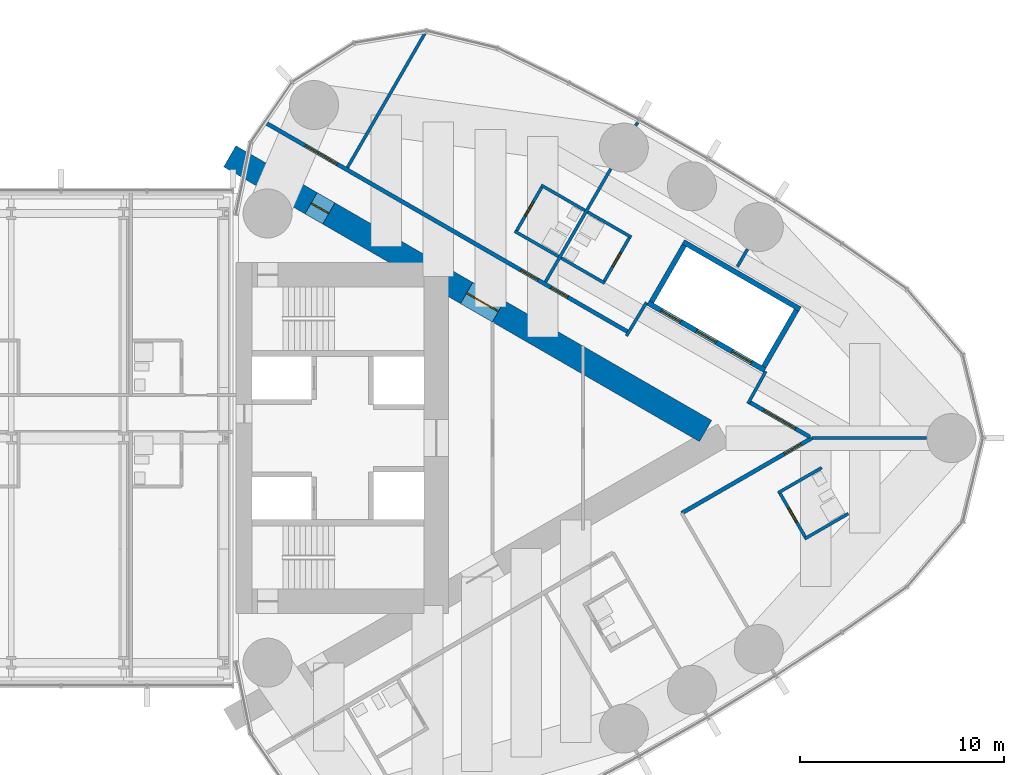
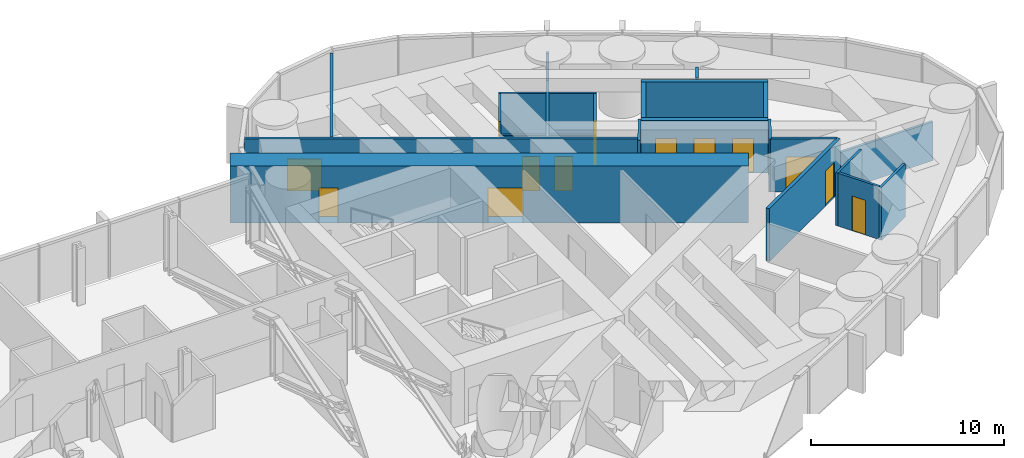
# One storey, part 19 of 22: 24 walls, 13 doors, 13 openings.
"""IFC4 building model written with IfcOpenShell, lengths in metres."""

import ifcopenshell
import ifcopenshell.guid

model = None  # the IFC model being written
_history = None  # IfcOwnerHistory: only IFC2X3 demands one
_inside = {}  # id of a spatial element -> (the spatial element, [elements in it])
_under = {}  # id of a project, library or spatial element -> (it, [spatial elements below it])
_declared = {}  # id of a project -> (the project, [libraries it declares])
_typed = {}  # id of a type object -> (the type object, [elements of that type])
_made_of = {}  # id of a material, layer set ... -> (it, [elements and type objects made of it])


def new_model(schema):
    """Start an empty IFC model of exactly this schema.

    Asked for "IFC4X3", IfcOpenShell would pick the latest addendum, in which some entities
    have other attributes; the version numbers below select the first issue.
    IFC2X3 requires an IfcOwnerHistory on every rooted entity: one is made here for all.
    """
    global model, _history
    if schema == "IFC4X3":
        model = ifcopenshell.file(schema_version=(4, 3, 0, 0))
    else:
        model = ifcopenshell.file(schema=schema)
    _inside.clear()
    _under.clear()
    _declared.clear()
    _typed.clear()
    _made_of.clear()
    _history = None
    if model.schema == "IFC2X3":
        org = make("IfcOrganization", Name="unknown")
        user = make(
            "IfcPersonAndOrganization",
            ThePerson=make("IfcPerson", FamilyName="unknown"),
            TheOrganization=org,
        )
        app = make(
            "IfcApplication",
            ApplicationDeveloper=org,
            Version="unknown",
            ApplicationFullName="unknown",
            ApplicationIdentifier="unknown",
        )
        _history = make(
            "IfcOwnerHistory",
            OwningUser=user,
            OwningApplication=app,
            ChangeAction="ADDED",
            CreationDate=0,
        )
    return model


def make(cls, **values):
    """One entity of the class cls with the attributes given. An attribute that is None is left unset."""
    return model.create_entity(
        cls, **{name: value for name, value in values.items() if value is not None}
    )


def rooted(cls, **values):
    """An entity with a GlobalId (a new one), such as an element, a storey or a relation."""
    return make(cls, GlobalId=ifcopenshell.guid.new(), OwnerHistory=_history, **values)


def si_unit(unit_type, name, prefix=None):
    """IfcSIUnit, for example si_unit("LENGTHUNIT", "METRE", prefix="MILLI")."""
    return make("IfcSIUnit", UnitType=unit_type, Prefix=prefix, Name=name)


def assignment(units):
    """IfcUnitAssignment: the units of a project."""
    return None if units is None else make("IfcUnitAssignment", Units=units)


def point(xyz):
    """IfcCartesianPoint."""
    return None if xyz is None else make("IfcCartesianPoint", Coordinates=xyz)


def direction(xyz):
    """IfcDirection."""
    return None if xyz is None else make("IfcDirection", DirectionRatios=xyz)


def frame(location, z_axis=None, x_axis=None):
    """IfcAxis2Placement3D, a coordinate frame: its origin and axes. An axis left out is left unset."""
    return make(
        "IfcAxis2Placement3D",
        Location=point(location),
        Axis=direction(z_axis),
        RefDirection=direction(x_axis),
    )


def frame_2d(location, x_axis=None):
    """IfcAxis2Placement2D, a coordinate frame in the plane: its origin and x axis."""
    return make(
        "IfcAxis2Placement2D", Location=point(location), RefDirection=direction(x_axis)
    )


def origin():
    """The frame at (0, 0, 0) with its axes left unset."""
    return frame((0.0, 0.0, 0.0))


def place(relative_to, where):
    """IfcLocalPlacement: puts the frame where relative to a parent placement (None: the world)."""
    return make(
        "IfcLocalPlacement", PlacementRelTo=relative_to, RelativePlacement=where
    )


def context(
    kind, dimensions, precision=None, world=None, true_north=None, identifier=None
):
    """IfcGeometricRepresentationContext, for example the 3D "Model" context."""
    return make(
        "IfcGeometricRepresentationContext",
        ContextIdentifier=identifier,
        ContextType=kind,
        CoordinateSpaceDimension=dimensions,
        Precision=precision,
        WorldCoordinateSystem=world,
        TrueNorth=true_north,
    )


def subcontext(parent, identifier, kind, view, scale=None):
    """IfcGeometricRepresentationSubContext, for example "Body" below "Model"."""
    return make(
        "IfcGeometricRepresentationSubContext",
        ContextIdentifier=identifier,
        ContextType=kind,
        ParentContext=parent,
        TargetScale=scale,
        TargetView=view,
    )


def project(units=None, contexts=None):
    """IfcProject with its units and contexts."""
    return rooted(
        "IfcProject",
        Name="project",
        RepresentationContexts=contexts,
        UnitsInContext=assignment(units),
    )


def spatial(cls, under=None, at=None, **own):
    """A site, building, storey or space (cls), placed at a placement, below another one or the project."""
    s = rooted(cls, ObjectPlacement=at, **own)
    if under is not None:
        _under.setdefault(under.id(), (under, []))[1].append(s)
    return s


def profile(cls, at=None, kind="AREA", **sizes):
    """A parametric profile (cls). Its sizes go by their IFC names, for example OverallWidth=200.0."""
    return make(cls, ProfileType=kind, Position=at, **sizes)


def rectangle(**sizes):
    """IfcRectangleProfileDef."""
    return profile("IfcRectangleProfileDef", **sizes)


def extrude(swept, where, along, depth):
    """IfcExtrudedAreaSolid: the profile swept, set in the frame where, extruded along a direction by depth."""
    return make(
        "IfcExtrudedAreaSolid",
        SweptArea=swept,
        Position=where,
        ExtrudedDirection=direction(along),
        Depth=depth,
    )


def shape(context_of_items, identifier, shape_type, items):
    """IfcShapeRepresentation: the items that make up one representation, for example the "Body"."""
    return make(
        "IfcShapeRepresentation",
        ContextOfItems=context_of_items,
        RepresentationIdentifier=identifier,
        RepresentationType=shape_type,
        Items=items,
    )


def material(Name=None, Category=None):
    """IfcMaterial."""
    return make("IfcMaterial", Name=Name, Category=Category)


def layer(
    of_material, thickness, ventilated=None, Name=None, Category=None, Priority=None
):
    """IfcMaterialLayer: one layer of a wall or slab, of a material (None: an air gap)."""
    return make(
        "IfcMaterialLayer",
        Material=of_material,
        LayerThickness=thickness,
        IsVentilated=ventilated,
        Name=Name,
        Category=Category,
        Priority=Priority,
    )


def layer_set(layers, Name=None):
    """IfcMaterialLayerSet."""
    return make("IfcMaterialLayerSet", MaterialLayers=layers, LayerSetName=Name)


def made_of(thing, what):
    """Note that an element or type object is made of a material, layer set ...; save() writes the relation."""
    if what is not None:
        _made_of.setdefault(what.id(), (what, []))[1].append(thing)
    return thing


def type_object(cls, material=None, **own):
    """A type object (cls), such as IfcWallType, which elements share."""
    return made_of(rooted(cls, **own), material)


def element(
    cls,
    number,
    at=None,
    inside=None,
    cuts=None,
    type_object=None,
    material=None,
    context=None,
    identifier="Body",
    shape_type=None,
    held_by="IfcProductDefinitionShape",
    body=None,
    shapes=None,
    **own,
):
    """One element of the class cls, such as IfcWall. Its Tag is "e" and its number.

    at: its placement. inside: the storey or other place that contains it. cuts: it is an
    opening in that element (IfcRelVoidsElement). A single representation is given by context,
    identifier, shape_type and body (its items); several are given by shapes. held_by: the class
    of the entity that holds the representations. save() writes the other relations.
    """
    e = rooted(cls, Tag="e%d" % number, ObjectPlacement=at, **own)
    if body is not None:
        shapes = [shape(context, identifier, shape_type, body)]
    if shapes is not None:
        e.Representation = make(held_by, Representations=shapes)
    if inside is not None:
        _inside.setdefault(inside.id(), (inside, []))[1].append(e)
    if cuts is not None:
        rooted(
            "IfcRelVoidsElement", RelatingBuildingElement=cuts, RelatedOpeningElement=e
        )
    if type_object is not None:
        _typed.setdefault(type_object.id(), (type_object, []))[1].append(e)
    return made_of(e, material)


def fill(opening, filler):
    """IfcRelFillsElement: the door or window that sits in an opening."""
    return rooted(
        "IfcRelFillsElement",
        RelatingOpeningElement=opening,
        RelatedBuildingElement=filler,
    )


def aggregate(whole, parts):
    """IfcRelAggregates: a whole, such as a stair, and the parts it consists of."""
    return rooted("IfcRelAggregates", RelatingObject=whole, RelatedObjects=parts)


def save(model, path):
    """Write the relations noted so far, then the file.

    IfcRelAggregates (storeys below a building ...), IfcRelContainedInSpatialStructure (elements
    in a storey), IfcRelDefinesByType, IfcRelAssociatesMaterial and IfcRelDeclares: one each for
    every whole, place, type object, material and project.
    """
    for whole, parts in _under.values():
        aggregate(whole, parts)
    for where, things in _inside.values():
        rooted(
            "IfcRelContainedInSpatialStructure",
            RelatedElements=things,
            RelatingStructure=where,
        )
    for kind, things in _typed.values():
        rooted("IfcRelDefinesByType", RelatedObjects=things, RelatingType=kind)
    for what, things in _made_of.values():
        rooted("IfcRelAssociatesMaterial", RelatedObjects=things, RelatingMaterial=what)
    for by, libraries in _declared.values():
        rooted("IfcRelDeclares", RelatingContext=by, RelatedDefinitions=libraries)
    model.write(path)


model = new_model("IFC4")

# Units and contexts
model_context = context("Model", 3, precision=1e-05, world=origin(), true_north=direction((0.0, 1.0)))
body_context = subcontext(model_context, "Body", "Model", "MODEL_VIEW")
ifc_project = project(units=[si_unit("LENGTHUNIT", "METRE"), si_unit("AREAUNIT", "SQUARE_METRE"), si_unit("VOLUMEUNIT", "CUBIC_METRE"), si_unit("PLANEANGLEUNIT", "RADIAN"), si_unit("MASSUNIT", "GRAM", prefix="KILO")], contexts=[model_context])

# Site, building, storey
site_placement = place(None, origin())
site = spatial("IfcSite", under=ifc_project, at=site_placement, CompositionType="ELEMENT")
building_placement = place(site_placement, origin())
building = spatial("IfcBuilding", under=site, at=building_placement, Name="Lancet Gate Hotel", CompositionType="ELEMENT")
storey_placement = place(building_placement, frame((0.0, 0.0, 233.300048828125)))
storey = spatial("IfcBuildingStorey", under=building, at=storey_placement, Name="L62", CompositionType="ELEMENT", Elevation=233.300048828125)

# Wall
ifc_material_1 = material(Name="Moisture resistant board partition")
ifc_layer_1 = layer(ifc_material_1, 0.14990234375)
ifc_layer_set_1 = layer_set([ifc_layer_1], Name="Bathroom wall 150")
wall_type_1 = type_object("IfcWallType", Name="Bathroom wall 150", PredefinedType="PARTITIONING", material=ifc_layer_set_1)
wall_1_placement = place(storey_placement, frame((55.34912109375, -4.938232421875, 0.0), z_axis=(0.0, 0.0, 1.0), x_axis=(0.866006523861, 0.500032699561, 0.0)))
element("IfcWall", 1, at=wall_1_placement, inside=storey, type_object=wall_type_1, Name="T2 bathroom wall 150 L62", PredefinedType="PARTITIONING", context=body_context, shape_type="SweptSolid", body=[
    extrude(rectangle(XDim=2.474853515625, YDim=0.14990234375, at=frame_2d((1.2373046875, 0.0))), origin(), (0.0, 0.0, 1.0), 3.349853515625),
])

# Wall, opening, door
wall_2_placement = place(storey_placement, frame((54.114013671875, -2.64892578125, 0.0), z_axis=(0.0, 0.0, 1.0), x_axis=(0.500006934395, -0.866021400173, 0.0)))
wall_2 = element("IfcWall", 2, at=wall_2_placement, inside=storey, type_object=wall_type_1, Name="T2 bathroom wall 150 L62", PredefinedType="PARTITIONING", context=body_context, shape_type="SweptSolid", body=[
    extrude(rectangle(XDim=2.60009765625, YDim=0.14990234375, at=frame_2d((1.300048828125, 0.0))), origin(), (0.0, 0.0, 1.0), 3.349853515625),
])
opening_1_placement = place(wall_2_placement, frame((0.89990234375, 0.0, 0.0)))
opening_1 = element("IfcOpeningElement", 3, at=opening_1_placement, cuts=wall_2, Name="Opening 6255-B", PredefinedType="OPENING", context=body_context, shape_type="SweptSolid", body=[
    extrude(rectangle(XDim=0.800048828125, YDim=2.199951171875, at=frame_2d((0.39990234375, 1.10009765625))), frame((0.0, 0.0849609375, 0.0), z_axis=(0.0, -1.0, 0.0), x_axis=(1.0, 0.0, 0.0)), (0.0, 0.0, 1.0), 0.169921875),
])
ifc_material_2 = material(Name="Timber door set", Category="wood")
door_type_1 = type_object("IfcDoorType", Name="Bathroom door 800", OperationType="SINGLE_SWING_RIGHT", PredefinedType="DOOR", material=ifc_material_2)
door_1_placement = place(opening_1_placement, origin())
door_1 = element("IfcDoor", 4, at=door_1_placement, inside=storey, type_object=door_type_1, Name="6255-B", OperationType="SINGLE_SWING_RIGHT", OverallHeight=2.199951171875, OverallWidth=0.800048828125, PredefinedType="DOOR", context=body_context, shape_type="SweptSolid", body=[
    extrude(rectangle(XDim=0.800048828125, YDim=2.199951171875, at=frame_2d((0.39990234375, 1.10009765625))), frame((0.0, 0.02490234375, 0.0), z_axis=(0.0, -1.0, 0.0), x_axis=(1.0, 0.0, 0.0)), (0.0, 0.0, 1.0), 0.050048828125),
])
fill(opening_1, door_1)

# Walls
for number, where, z_axis, x_axis, name in (
    (5, (54.049072265625, -2.6865234375, 0.0), (0.0, 0.0, 1.0), (0.866006523861, 0.500032699561, 0.0), "T2 bathroom wall 150 L62"),
    (6, (44.724609375, 11.072265625, 0.0), (0.0, 0.0, 1.0), (0.866006523861, -0.500032699561, 0.0), "T2 bathroom wall 150 L62"),
):
    element("IfcWall", number, at=place(storey_placement, frame(where, z_axis=z_axis, x_axis=x_axis)), inside=storey, type_object=wall_type_1, Name=name, PredefinedType="PARTITIONING", context=body_context, shape_type="SweptSolid", body=[
        extrude(rectangle(XDim=2.474853515625, YDim=0.14990234375, at=frame_2d((1.2373046875, 0.0))), origin(), (0.0, 0.0, 1.0), 3.349853515625),
    ])

# Wall, opening, door
wall_3_placement = place(storey_placement, frame((45.5029296875, 7.62060546875, 0.0), z_axis=(0.0, 0.0, 1.0), x_axis=(0.500006934395, 0.866021400173, 0.0)))
wall_3 = element("IfcWall", 7, at=wall_3_placement, inside=storey, type_object=wall_type_1, Name="T2 bathroom wall 150 L62", PredefinedType="PARTITIONING", context=body_context, shape_type="SweptSolid", body=[
    extrude(rectangle(XDim=2.60009765625, YDim=0.14990234375, at=frame_2d((1.300048828125, 0.0))), origin(), (0.0, 0.0, 1.0), 3.349853515625),
])
opening_2_placement = place(wall_3_placement, frame((0.89990234375, 0.0, 0.0)))
opening_2 = element("IfcOpeningElement", 8, at=opening_2_placement, cuts=wall_3, Name="Opening 6258-B", PredefinedType="OPENING", context=body_context, shape_type="SweptSolid", body=[
    extrude(rectangle(XDim=0.800048828125, YDim=2.199951171875, at=frame_2d((0.39990234375, 1.10009765625))), frame((0.0, 0.0849609375, 0.0), z_axis=(0.0, -1.0, 0.0), x_axis=(1.0, 0.0, 0.0)), (0.0, 0.0, 1.0), 0.169921875),
])
door_2_placement = place(opening_2_placement, origin())
door_2 = element("IfcDoor", 9, at=door_2_placement, inside=storey, type_object=door_type_1, Name="6258-B", OperationType="SINGLE_SWING_RIGHT", OverallHeight=2.199951171875, OverallWidth=0.800048828125, PredefinedType="DOOR", context=body_context, shape_type="SweptSolid", body=[
    extrude(rectangle(XDim=0.800048828125, YDim=2.199951171875, at=frame_2d((0.39990234375, 1.10009765625))), frame((0.0, 0.02490234375, 0.0), z_axis=(0.0, -1.0, 0.0), x_axis=(1.0, 0.0, 0.0)), (0.0, 0.0, 1.0), 0.050048828125),
])
fill(opening_2, door_2)

# Walls
wall_4_placement = place(storey_placement, frame((43.424560546875, 8.820556640625, 0.0), z_axis=(0.0, 0.0, 1.0), x_axis=(0.866006523861, -0.500032699561, 0.0)))
element("IfcWall", 10, at=wall_4_placement, inside=storey, type_object=wall_type_1, Name="T2 bathroom wall 150 L62", PredefinedType="PARTITIONING", context=body_context, shape_type="SweptSolid", body=[
    extrude(rectangle(XDim=2.474853515625, YDim=0.14990234375, at=frame_2d((1.2373046875, 0.0))), origin(), (0.0, 0.0, 1.0), 2.5),
])
wall_5_placement = place(storey_placement, frame((42.451171875, 12.384765625, 0.0), z_axis=(0.0, 0.0, 1.0), x_axis=(0.866031185235, -0.4999899861, 0.0)))
element("IfcWall", 11, at=wall_5_placement, inside=storey, type_object=wall_type_1, Name="T2 bathroom wall 150 L62", PredefinedType="PARTITIONING", context=body_context, shape_type="SweptSolid", body=[
    extrude(rectangle(XDim=2.47509765625, YDim=0.14990234375, at=frame_2d((1.237548828125, 0.0))), origin(), (0.0, 0.0, 1.0), 3.349853515625),
])

# Wall, opening, door
wall_6_placement = place(storey_placement, frame((41.21630859375, 10.095458984375, 0.0), z_axis=(0.0, 0.0, 1.0), x_axis=(0.499936506574, 0.866062058628, 0.0)))
wall_6 = element("IfcWall", 12, at=wall_6_placement, inside=storey, type_object=wall_type_1, Name="T2 bathroom wall 150 L62", PredefinedType="PARTITIONING", context=body_context, shape_type="SweptSolid", body=[
    extrude(rectangle(XDim=2.599853515625, YDim=0.14990234375, at=frame_2d((1.2998046875, 0.0))), origin(), (0.0, 0.0, 1.0), 3.349853515625),
])
opening_3_placement = place(wall_6_placement, frame((0.89990234375, 0.0, 0.0)))
opening_3 = element("IfcOpeningElement", 13, at=opening_3_placement, cuts=wall_6, Name="Opening 6259-B", PredefinedType="OPENING", context=body_context, shape_type="SweptSolid", body=[
    extrude(rectangle(XDim=0.800048828125, YDim=2.199951171875, at=frame_2d((0.39990234375, 1.10009765625))), frame((0.0, 0.0849609375, 0.0), z_axis=(0.0, -1.0, 0.0), x_axis=(1.0, 0.0, 0.0)), (0.0, 0.0, 1.0), 0.169921875),
])
door_3_placement = place(opening_3_placement, origin())
door_3 = element("IfcDoor", 14, at=door_3_placement, inside=storey, type_object=door_type_1, Name="6259-B", OperationType="SINGLE_SWING_RIGHT", OverallHeight=2.199951171875, OverallWidth=0.800048828125, PredefinedType="DOOR", context=body_context, shape_type="SweptSolid", body=[
    extrude(rectangle(XDim=0.800048828125, YDim=2.199951171875, at=frame_2d((0.39990234375, 1.10009765625))), frame((0.0, 0.02490234375, 0.0), z_axis=(0.0, -1.0, 0.0), x_axis=(1.0, 0.0, 0.0)), (0.0, 0.0, 1.0), 0.050048828125),
])
fill(opening_3, door_3)

# Wall
wall_7_placement = place(storey_placement, frame((41.1513671875, 10.133056640625, 0.0), z_axis=(0.0, 0.0, 1.0), x_axis=(0.866006523861, -0.500032699561, 0.0)))
element("IfcWall", 15, at=wall_7_placement, inside=storey, type_object=wall_type_1, Name="T2 bathroom wall 150 L62", PredefinedType="PARTITIONING", context=body_context, shape_type="SweptSolid", body=[
    extrude(rectangle(XDim=2.474853515625, YDim=0.14990234375, at=frame_2d((1.2373046875, 0.0))), origin(), (0.0, 0.0, 1.0), 2.5),
])

# Wall, openings, doors
ifc_material_3 = material(Name="Concrete C70/85", Category="concrete")
ifc_layer_2 = layer(ifc_material_3, 1.199951171875)
ifc_layer_set_2 = layer_set([ifc_layer_2], Name="Buttress wall 1200")
wall_type_2 = type_object("IfcWallType", Name="Buttress wall 1200", PredefinedType="SHEAR", material=ifc_layer_set_2)
wall_8_placement = place(storey_placement, frame((27.199951171875, 13.800048828125, 0.0), z_axis=(0.0, 0.0, 1.0), x_axis=(0.866024515034, -0.500001539357, 0.0)))
wall_8 = element("IfcWall", 16, at=wall_8_placement, inside=storey, type_object=wall_type_2, Name="T2 buttress wall N L62", PredefinedType="SHEAR", context=body_context, shape_type="SweptSolid", body=[
    extrude(rectangle(XDim=26.9072265625, YDim=1.199951171875, at=frame_2d((13.45361328125, 0.0))), origin(), (0.0, 0.0, 1.0), 3.599853515625),
])
opening_4_placement = place(wall_8_placement, frame((4.60009765625, 0.0, 0.0)))
opening_4 = element("IfcOpeningElement", 17, at=opening_4_placement, cuts=wall_8, Name="Opening T2-L62-LN", PredefinedType="OPENING", context=body_context, shape_type="SweptSolid", body=[
    extrude(rectangle(XDim=1.0, YDim=2.199951171875, at=frame_2d((0.5, 1.10009765625))), frame((0.0, 0.60986328125, 0.0), z_axis=(0.0, -1.0, 0.0), x_axis=(1.0, 0.0, 0.0)), (0.0, 0.0, 1.0), 1.219970703125),
])
opening_5_placement = place(wall_8_placement, frame((13.39453125, 0.0, 0.0)))
opening_5 = element("IfcOpeningElement", 18, at=opening_5_placement, cuts=wall_8, Name="Opening T2-L62-LHN", PredefinedType="OPENING", context=body_context, shape_type="SweptSolid", body=[
    extrude(rectangle(XDim=1.800048828125, YDim=2.199951171875, at=frame_2d((0.89990234375, 1.10009765625))), frame((0.0, 0.60986328125, 0.0), z_axis=(0.0, -1.0, 0.0), x_axis=(1.0, 0.0, 0.0)), (0.0, 0.0, 1.0), 1.219970703125),
])
ifc_material_4 = material(Name="Timber door set", Category="wood")
door_type_2 = type_object("IfcDoorType", Name="Lobby double door 1800", OperationType="DOUBLE_DOOR_SINGLE_SWING", PredefinedType="DOOR", material=ifc_material_4)
door_4_placement = place(opening_5_placement, origin())
door_4 = element("IfcDoor", 19, at=door_4_placement, inside=storey, type_object=door_type_2, Name="T2-L62-LHN", OperationType="DOUBLE_DOOR_SINGLE_SWING", OverallHeight=2.199951171875, OverallWidth=1.800048828125, PredefinedType="DOOR", context=body_context, shape_type="SweptSolid", body=[
    extrude(rectangle(XDim=1.800048828125, YDim=2.199951171875, at=frame_2d((0.89990234375, 1.10009765625))), frame((0.0, 0.02490234375, 0.0), z_axis=(0.0, -1.0, 0.0), x_axis=(1.0, 0.0, 0.0)), (0.0, 0.0, 1.0), 0.050048828125),
])
fill(opening_5, door_4)
ifc_material_5 = material(Name="Timber door set", Category="wood")
door_type_3 = type_object("IfcDoorType", Name="Stair lobby door 1000", OperationType="SINGLE_SWING_LEFT", PredefinedType="DOOR", material=ifc_material_5)
door_5_placement = place(opening_4_placement, origin())
door_5 = element("IfcDoor", 20, at=door_5_placement, inside=storey, type_object=door_type_3, Name="T2-L62-LN", OperationType="SINGLE_SWING_LEFT", OverallHeight=2.199951171875, OverallWidth=1.0, PredefinedType="DOOR", context=body_context, shape_type="SweptSolid", body=[
    extrude(rectangle(XDim=1.0, YDim=2.199951171875, at=frame_2d((0.5, 1.10009765625))), frame((0.0, 0.02490234375, 0.0), z_axis=(0.0, -1.0, 0.0), x_axis=(1.0, 0.0, 0.0)), (0.0, 0.0, 1.0), 0.050048828125),
])
fill(opening_4, door_5)

ifc_material_6 = material(Name="Gypsum board partition")
ifc_layer_3 = layer(ifc_material_6, 0.199951171875)
ifc_layer_set_3 = layer_set([ifc_layer_3], Name="Corridor wall 200")
wall_type_3 = type_object("IfcWallType", Name="Corridor wall 200", PredefinedType="PARTITIONING", material=ifc_layer_set_3)
wall_9_placement = place(storey_placement, frame((28.958984375, 15.440185546875, 0.0), z_axis=(0.0, 0.0, 1.0), x_axis=(0.866028936079, -0.499993881836, 0.0)))
wall_9 = element("IfcWall", 21, at=wall_9_placement, inside=storey, type_object=wall_type_3, Name="T2 corridor wall 200 L62", PredefinedType="PARTITIONING", context=body_context, shape_type="SweptSolid", body=[
    extrude(rectangle(XDim=20.503173828125, YDim=0.199951171875, at=frame_2d((10.25146484375, 0.0))), origin(), (0.0, 0.0, 1.0), 3.349853515625),
])
opening_6_placement = place(wall_9_placement, frame((16.13720703125, 0.0, 0.0)))
opening_6 = element("IfcOpeningElement", 22, at=opening_6_placement, cuts=wall_9, Name="Opening 6258-E", PredefinedType="OPENING", context=body_context, shape_type="SweptSolid", body=[
    extrude(rectangle(XDim=0.949951171875, YDim=2.199951171875, at=frame_2d((0.47509765625, 1.10009765625))), frame((0.0, 0.10986328125, 0.0), z_axis=(0.0, -1.0, 0.0), x_axis=(1.0, 0.0, 0.0)), (0.0, 0.0, 1.0), 0.219970703125),
])
opening_7_placement = place(wall_9_placement, frame((14.437255859375, 0.0, 0.0)))
opening_7 = element("IfcOpeningElement", 23, at=opening_7_placement, cuts=wall_9, Name="Opening 6259-E", PredefinedType="OPENING", context=body_context, shape_type="SweptSolid", body=[
    extrude(rectangle(XDim=0.949951171875, YDim=2.199951171875, at=frame_2d((0.47509765625, 1.10009765625))), frame((0.0, 0.10986328125, 0.0), z_axis=(0.0, -1.0, 0.0), x_axis=(1.0, 0.0, 0.0)), (0.0, 0.0, 1.0), 0.219970703125),
])
opening_8_placement = place(wall_9_placement, frame((2.243896484375, 0.0, 0.0)))
opening_8 = element("IfcOpeningElement", 24, at=opening_8_placement, cuts=wall_9, Name="Opening 6260-E", PredefinedType="OPENING", context=body_context, shape_type="SweptSolid", body=[
    extrude(rectangle(XDim=1.800048828125, YDim=2.030029296875, at=frame_2d((0.89990234375, 1.01513671875))), frame((0.0, 0.10986328125, 0.0), z_axis=(0.0, -1.0, 0.0), x_axis=(1.0, 0.0, 0.0)), (0.0, 0.0, 1.0), 0.219970703125),
])
ifc_material_7 = material(Name="Timber door set", Category="wood")
door_type_4 = type_object("IfcDoorType", Name="Double door 1800, 2030 high", OperationType="DOUBLE_DOOR_SINGLE_SWING", PredefinedType="DOOR", material=ifc_material_7)
door_6_placement = place(opening_8_placement, origin())
door_6 = element("IfcDoor", 25, at=door_6_placement, inside=storey, type_object=door_type_4, Name="6260-E", OperationType="DOUBLE_DOOR_SINGLE_SWING", OverallHeight=2.030029296875, OverallWidth=1.800048828125, PredefinedType="DOOR", context=body_context, shape_type="SweptSolid", body=[
    extrude(rectangle(XDim=1.800048828125, YDim=2.030029296875, at=frame_2d((0.89990234375, 1.01513671875))), frame((0.0, 0.02490234375, 0.0), z_axis=(0.0, -1.0, 0.0), x_axis=(1.0, 0.0, 0.0)), (0.0, 0.0, 1.0), 0.050048828125),
])
fill(opening_8, door_6)
ifc_material_8 = material(Name="Timber door set", Category="wood")
door_type_5 = type_object("IfcDoorType", Name="Guest room entry door 950", OperationType="SINGLE_SWING_LEFT", PredefinedType="DOOR", material=ifc_material_8)
door_7_placement = place(opening_6_placement, origin())
door_7 = element("IfcDoor", 26, at=door_7_placement, inside=storey, type_object=door_type_5, Name="6258-E", OperationType="SINGLE_SWING_LEFT", OverallHeight=2.199951171875, OverallWidth=0.949951171875, PredefinedType="DOOR", context=body_context, shape_type="SweptSolid", body=[
    extrude(rectangle(XDim=0.949951171875, YDim=2.199951171875, at=frame_2d((0.47509765625, 1.10009765625))), frame((0.0, 0.02490234375, 0.0), z_axis=(0.0, -1.0, 0.0), x_axis=(1.0, 0.0, 0.0)), (0.0, 0.0, 1.0), 0.050048828125),
])
fill(opening_6, door_7)
door_8_placement = place(opening_7_placement, origin())
door_8 = element("IfcDoor", 27, at=door_8_placement, inside=storey, type_object=door_type_5, Name="6259-E", OperationType="SINGLE_SWING_LEFT", OverallHeight=2.199951171875, OverallWidth=0.949951171875, PredefinedType="DOOR", context=body_context, shape_type="SweptSolid", body=[
    extrude(rectangle(XDim=0.949951171875, YDim=2.199951171875, at=frame_2d((0.47509765625, 1.10009765625))), frame((0.0, 0.02490234375, 0.0), z_axis=(0.0, -1.0, 0.0), x_axis=(1.0, 0.0, 0.0)), (0.0, 0.0, 1.0), 0.050048828125),
])
fill(opening_7, door_8)

# Wall, opening, door
wall_10_placement = place(storey_placement, frame((52.63916015625, 1.7685546875, 0.0), z_axis=(0.0, 0.0, 1.0), x_axis=(0.866027340901, -0.4999966448, 0.0)))
wall_10 = element("IfcWall", 28, at=wall_10_placement, inside=storey, type_object=wall_type_3, Name="T2 corridor wall 200 L62", PredefinedType="PARTITIONING", context=body_context, shape_type="SweptSolid", body=[
    extrude(rectangle(XDim=3.4169921875, YDim=0.199951171875, at=frame_2d((1.70849609375, 0.0))), origin(), (0.0, 0.0, 1.0), 3.349853515625),
])
opening_9_placement = place(wall_10_placement, frame((0.80859375, 0.0, 0.0)))
opening_9 = element("IfcOpeningElement", 29, at=opening_9_placement, cuts=wall_10, Name="Opening T2-L62-LO1", PredefinedType="OPENING", context=body_context, shape_type="SweptSolid", body=[
    extrude(rectangle(XDim=1.800048828125, YDim=2.199951171875, at=frame_2d((0.89990234375, 1.10009765625))), frame((0.0, 0.10986328125, 0.0), z_axis=(0.0, -1.0, 0.0), x_axis=(1.0, 0.0, 0.0)), (0.0, 0.0, 1.0), 0.219970703125),
])
ifc_material_9 = material(Name="Timber door set", Category="wood")
door_type_6 = type_object("IfcDoorType", Name="Double door 1800", OperationType="DOUBLE_DOOR_SINGLE_SWING", PredefinedType="DOOR", material=ifc_material_9)
door_9_placement = place(opening_9_placement, origin())
door_9 = element("IfcDoor", 30, at=door_9_placement, inside=storey, type_object=door_type_6, Name="T2-L62-LO1", OperationType="DOUBLE_DOOR_SINGLE_SWING", OverallHeight=2.199951171875, OverallWidth=1.800048828125, PredefinedType="DOOR", context=body_context, shape_type="SweptSolid", body=[
    extrude(rectangle(XDim=1.800048828125, YDim=2.199951171875, at=frame_2d((0.89990234375, 1.10009765625))), frame((0.0, 0.02490234375, 0.0), z_axis=(0.0, -1.0, 0.0), x_axis=(1.0, 0.0, 0.0)), (0.0, 0.0, 1.0), 0.050048828125),
])
fill(opening_9, door_9)

wall_11_placement = place(storey_placement, frame((49.335205078125, -3.676025390625, 0.0), z_axis=(0.0, 0.0, 1.0), x_axis=(0.866021344046, 0.500007031608, 0.0)))
wall_11 = element("IfcWall", 31, at=wall_11_placement, inside=storey, type_object=wall_type_3, Name="T2 corridor wall 200 L62", PredefinedType="PARTITIONING", context=body_context, shape_type="SweptSolid", body=[
    extrude(rectangle(XDim=7.35205078125, YDim=0.199951171875, at=frame_2d((3.676025390625, 0.0))), origin(), (0.0, 0.0, 1.0), 3.349853515625),
])
opening_10_placement = place(wall_11_placement, frame((5.802001953125, 0.0, 0.0)))
opening_10 = element("IfcOpeningElement", 32, at=opening_10_placement, cuts=wall_11, Name="Opening 6255-E", PredefinedType="OPENING", context=body_context, shape_type="SweptSolid", body=[
    extrude(rectangle(XDim=0.949951171875, YDim=2.199951171875, at=frame_2d((0.47509765625, 1.10009765625))), frame((0.0, 0.10986328125, 0.0), z_axis=(0.0, -1.0, 0.0), x_axis=(1.0, 0.0, 0.0)), (0.0, 0.0, 1.0), 0.219970703125),
])
door_10_placement = place(opening_10_placement, origin())
door_10 = element("IfcDoor", 33, at=door_10_placement, inside=storey, type_object=door_type_5, Name="6255-E", OperationType="SINGLE_SWING_LEFT", OverallHeight=2.199951171875, OverallWidth=0.949951171875, PredefinedType="DOOR", context=body_context, shape_type="SweptSolid", body=[
    extrude(rectangle(XDim=0.949951171875, YDim=2.199951171875, at=frame_2d((0.47509765625, 1.10009765625))), frame((0.0, 0.02490234375, 0.0), z_axis=(0.0, -1.0, 0.0), x_axis=(1.0, 0.0, 0.0)), (0.0, 0.0, 1.0), 0.050048828125),
])
fill(opening_10, door_10)

# Wall, openings, doors
ifc_material_10 = material(Name="Gypsum board partition")
ifc_layer_4 = layer(ifc_material_10, 0.25)
ifc_layer_set_4 = layer_set([ifc_layer_4], Name="Lift shaft partition 250")
wall_type_4 = type_object("IfcWallType", Name="Lift shaft partition 250", PredefinedType="PARTITIONING", material=ifc_layer_set_4)
wall_12_placement = place(storey_placement, frame((47.681396484375, 6.622314453125, 0.0), z_axis=(0.0, 0.0, 1.0), x_axis=(0.86603344179, -0.499986077507, 0.0)))
wall_12 = element("IfcWall", 34, at=wall_12_placement, inside=storey, type_object=wall_type_4, Name="T2 lift shaft wall HL L62", PredefinedType="PARTITIONING", context=body_context, shape_type="SweptSolid", body=[
    extrude(rectangle(XDim=6.600341796875, YDim=0.25, at=frame_2d((3.30029296875, 0.0))), origin(), (0.0, 0.0, 1.0), 3.349853515625),
])
opening_11_placement = place(wall_12_placement, frame((0.75, 0.0, 0.0)))
opening_11 = element("IfcOpeningElement", 35, at=opening_11_placement, cuts=wall_12, Name="Opening T2-HL1-L62", PredefinedType="OPENING", context=body_context, shape_type="SweptSolid", body=[
    extrude(rectangle(XDim=1.10009765625, YDim=2.199951171875, at=frame_2d((0.550048828125, 1.10009765625))), frame((0.0, 0.135009765625, 0.0), z_axis=(0.0, -1.0, 0.0), x_axis=(1.0, 0.0, 0.0)), (0.0, 0.0, 1.0), 0.27001953125),
])
opening_12_placement = place(wall_12_placement, frame((2.75, 0.0, 0.0)))
opening_12 = element("IfcOpeningElement", 36, at=opening_12_placement, cuts=wall_12, Name="Opening T2-HL2-L62", PredefinedType="OPENING", context=body_context, shape_type="SweptSolid", body=[
    extrude(rectangle(XDim=1.10009765625, YDim=2.199951171875, at=frame_2d((0.550048828125, 1.10009765625))), frame((0.0, 0.135009765625, 0.0), z_axis=(0.0, -1.0, 0.0), x_axis=(1.0, 0.0, 0.0)), (0.0, 0.0, 1.0), 0.27001953125),
])
opening_13_placement = place(wall_12_placement, frame((4.75, 0.0, 0.0)))
opening_13 = element("IfcOpeningElement", 37, at=opening_13_placement, cuts=wall_12, Name="Opening T2-HL3-L62", PredefinedType="OPENING", context=body_context, shape_type="SweptSolid", body=[
    extrude(rectangle(XDim=1.10009765625, YDim=2.199951171875, at=frame_2d((0.550048828125, 1.10009765625))), frame((0.0, 0.135009765625, 0.0), z_axis=(0.0, -1.0, 0.0), x_axis=(1.0, 0.0, 0.0)), (0.0, 0.0, 1.0), 0.27001953125),
])
ifc_material_11 = material(Name="Steel door set", Category="steel")
door_type_7 = type_object("IfcDoorType", Name="Lift landing door 1100", OperationType="DOUBLE_DOOR_SLIDING", PredefinedType="USERDEFINED", material=ifc_material_11)
door_11_placement = place(opening_11_placement, origin())
door_11 = element("IfcDoor", 38, at=door_11_placement, inside=storey, type_object=door_type_7, Name="T2-HL1-L62", ObjectType="LIFT LANDING DOOR", OperationType="DOUBLE_DOOR_SLIDING", OverallHeight=2.199951171875, OverallWidth=1.10009765625, PredefinedType="USERDEFINED", context=body_context, shape_type="SweptSolid", body=[
    extrude(rectangle(XDim=1.10009765625, YDim=2.199951171875, at=frame_2d((0.550048828125, 1.10009765625))), frame((0.0, 0.02490234375, 0.0), z_axis=(0.0, -1.0, 0.0), x_axis=(1.0, 0.0, 0.0)), (0.0, 0.0, 1.0), 0.050048828125),
])
fill(opening_11, door_11)
door_12_placement = place(opening_12_placement, origin())
door_12 = element("IfcDoor", 39, at=door_12_placement, inside=storey, type_object=door_type_7, Name="T2-HL2-L62", ObjectType="LIFT LANDING DOOR", OperationType="DOUBLE_DOOR_SLIDING", OverallHeight=2.199951171875, OverallWidth=1.10009765625, PredefinedType="USERDEFINED", context=body_context, shape_type="SweptSolid", body=[
    extrude(rectangle(XDim=1.10009765625, YDim=2.199951171875, at=frame_2d((0.550048828125, 1.10009765625))), frame((0.0, 0.02490234375, 0.0), z_axis=(0.0, -1.0, 0.0), x_axis=(1.0, 0.0, 0.0)), (0.0, 0.0, 1.0), 0.050048828125),
])
fill(opening_12, door_12)
door_13_placement = place(opening_13_placement, origin())
door_13 = element("IfcDoor", 40, at=door_13_placement, inside=storey, type_object=door_type_7, Name="T2-HL3-L62", ObjectType="LIFT LANDING DOOR", OperationType="DOUBLE_DOOR_SLIDING", OverallHeight=2.199951171875, OverallWidth=1.10009765625, PredefinedType="USERDEFINED", context=body_context, shape_type="SweptSolid", body=[
    extrude(rectangle(XDim=1.10009765625, YDim=2.199951171875, at=frame_2d((0.550048828125, 1.10009765625))), frame((0.0, 0.02490234375, 0.0), z_axis=(0.0, -1.0, 0.0), x_axis=(1.0, 0.0, 0.0)), (0.0, 0.0, 1.0), 0.050048828125),
])
fill(opening_13, door_13)

# Walls
wall_13_placement = place(storey_placement, frame((49.406494140625, 9.61083984375, 0.0), z_axis=(0.0, 0.0, 1.0), x_axis=(0.86603344179, -0.499986077507, 0.0)))
element("IfcWall", 41, at=wall_13_placement, inside=storey, type_object=wall_type_4, Name="T2 lift shaft wall HL L62", PredefinedType="PARTITIONING", context=body_context, shape_type="SweptSolid", body=[
    extrude(rectangle(XDim=6.600341796875, YDim=0.25, at=frame_2d((3.30029296875, 0.0))), origin(), (0.0, 0.0, 1.0), 3.349853515625),
])
wall_14_placement = place(storey_placement, frame((47.852294921875, 6.66796875, 0.0), z_axis=(0.0, 0.0, 1.0), x_axis=(0.499929347863, 0.866066190972, 0.0)))
element("IfcWall", 42, at=wall_14_placement, inside=storey, type_object=wall_type_4, Name="T2 lift shaft wall HL L62", PredefinedType="PARTITIONING", context=body_context, shape_type="SweptSolid", body=[
    extrude(rectangle(XDim=3.20068359375, YDim=0.25, at=frame_2d((1.600341796875, 0.0))), origin(), (0.0, 0.0, 1.0), 3.349853515625),
])
wall_15_placement = place(storey_placement, frame((53.351806640625, 3.492919921875, 0.0), z_axis=(0.0, 0.0, 1.0), x_axis=(0.499872130319, 0.866099216793, 0.0)))
element("IfcWall", 43, at=wall_15_placement, inside=storey, type_object=wall_type_4, Name="T2 lift shaft wall HL L62", PredefinedType="PARTITIONING", context=body_context, shape_type="SweptSolid", body=[
    extrude(rectangle(XDim=3.200439453125, YDim=0.25, at=frame_2d((1.60009765625, 0.0))), origin(), (0.0, 0.0, 1.0), 3.349853515625),
])
ifc_material_12 = material(Name="Gypsum board partition")
ifc_layer_5 = layer(ifc_material_12, 0.14990234375)
ifc_layer_set_5 = layer_set([ifc_layer_5], Name="Party wall 150")
wall_type_5 = type_object("IfcWallType", Name="Party wall 150", PredefinedType="PARTITIONING", material=ifc_layer_set_5)
wall_16_placement = place(storey_placement, frame((32.9599609375, 13.24560546875, 0.0), z_axis=(0.0, 0.0, 1.0), x_axis=(0.500000236886, 0.866025267018, 0.0)))
element("IfcWall", 44, at=wall_16_placement, inside=storey, type_object=wall_type_5, Name="T2 party wall 150 L62", PredefinedType="PARTITIONING", context=body_context, shape_type="SweptSolid", body=[
    extrude(rectangle(XDim=7.58251953125, YDim=0.14990234375, at=frame_2d((3.791259765625, 0.0))), origin(), (0.0, 0.0, 1.0), 3.349853515625),
])
wall_17_placement = place(storey_placement, frame((42.65966796875, 7.6455078125, 0.0), z_axis=(0.0, 0.0, 1.0), x_axis=(0.499996592859, 0.866027370889, 0.0)))
element("IfcWall", 45, at=wall_17_placement, inside=storey, type_object=wall_type_5, Name="T2 party wall 150 L62", PredefinedType="PARTITIONING", context=body_context, shape_type="SweptSolid", body=[
    extrude(rectangle(XDim=6.3984375, YDim=0.14990234375, at=frame_2d((3.19921875, 0.0))), origin(), (0.0, 0.0, 1.0), 2.449951171875),
])
wall_18_placement = place(storey_placement, frame((47.078857421875, 15.2998046875, 0.0), z_axis=(0.0, 0.0, 1.0), x_axis=(0.499212083968, 0.866479829667, 0.0)))
element("IfcWall", 46, at=wall_18_placement, inside=storey, type_object=wall_type_5, Name="T2 party wall 150 L62", PredefinedType="PARTITIONING", context=body_context, shape_type="SweptSolid", body=[
    extrude(rectangle(XDim=0.179443359375, YDim=0.14990234375, at=frame_2d((0.08984375, 0.0))), origin(), (0.0, 0.0, 1.0), 2.449951171875),
])
wall_19_placement = place(storey_placement, frame((55.7021484375, 0.0, 0.0), z_axis=(0.0, 0.0, 1.0), x_axis=(1.0, 0.0, 0.0)))
element("IfcWall", 47, at=wall_19_placement, inside=storey, type_object=wall_type_5, Name="T2 party wall 150 L62", PredefinedType="PARTITIONING", context=body_context, shape_type="SweptSolid", body=[
    extrude(rectangle(XDim=5.619384765625, YDim=0.14990234375, at=frame_2d((2.8095703125, 0.0))), origin(), (0.0, 0.0, 1.0), 2.449951171875),
])
wall_20_placement = place(storey_placement, frame((52.060302734375, 8.396240234375, 0.0), z_axis=(0.0, 0.0, 1.0), x_axis=(0.500095379624, 0.865970329329, 0.0)))
element("IfcWall", 48, at=wall_20_placement, inside=storey, type_object=wall_type_5, Name="T2 party wall 150 L62", PredefinedType="PARTITIONING", context=body_context, shape_type="SweptSolid", body=[
    extrude(rectangle(XDim=0.982177734375, YDim=0.14990234375, at=frame_2d((0.4912109375, 0.0))), origin(), (0.0, 0.0, 1.0), 3.349853515625),
])
ifc_material_13 = material(Name="Gypsum board partition")
ifc_layer_6 = layer(ifc_material_13, 0.14990234375)
ifc_layer_set_6 = layer_set([ifc_layer_6], Name="Service room wall 150")
wall_type_6 = type_object("IfcWallType", Name="Service room wall 150", PredefinedType="PARTITIONING", material=ifc_layer_set_6)
wall_21_placement = place(storey_placement, frame((47.6064453125, 6.642333984375, 0.0), z_axis=(0.0, 0.0, 1.0), x_axis=(-0.51353662755, -0.858067673418, 0.0)))
element("IfcWall", 49, at=wall_21_placement, inside=storey, type_object=wall_type_6, Name="T2 service room wall 150 L62", PredefinedType="PARTITIONING", context=body_context, shape_type="SweptSolid", body=[
    extrude(rectangle(XDim=1.90966796875, YDim=0.14990234375, at=frame_2d((0.954833984375, 0.0))), origin(), (0.0, 0.0, 1.0), 3.349853515625),
])
wall_22_placement = place(storey_placement, frame((52.576171875, 1.689453125, 0.0), z_axis=(0.0, 0.0, 1.0), x_axis=(0.485424724123, 0.874278466629, 0.0)))
element("IfcWall", 50, at=wall_22_placement, inside=storey, type_object=wall_type_6, Name="T2 service room wall 150 L62", PredefinedType="PARTITIONING", context=body_context, shape_type="SweptSolid", body=[
    extrude(rectangle(XDim=1.80517578125, YDim=0.14990234375, at=frame_2d((0.902587890625, 0.0))), origin(), (0.0, 0.0, 1.0), 3.349853515625),
])

save(model, "model.ifc")
